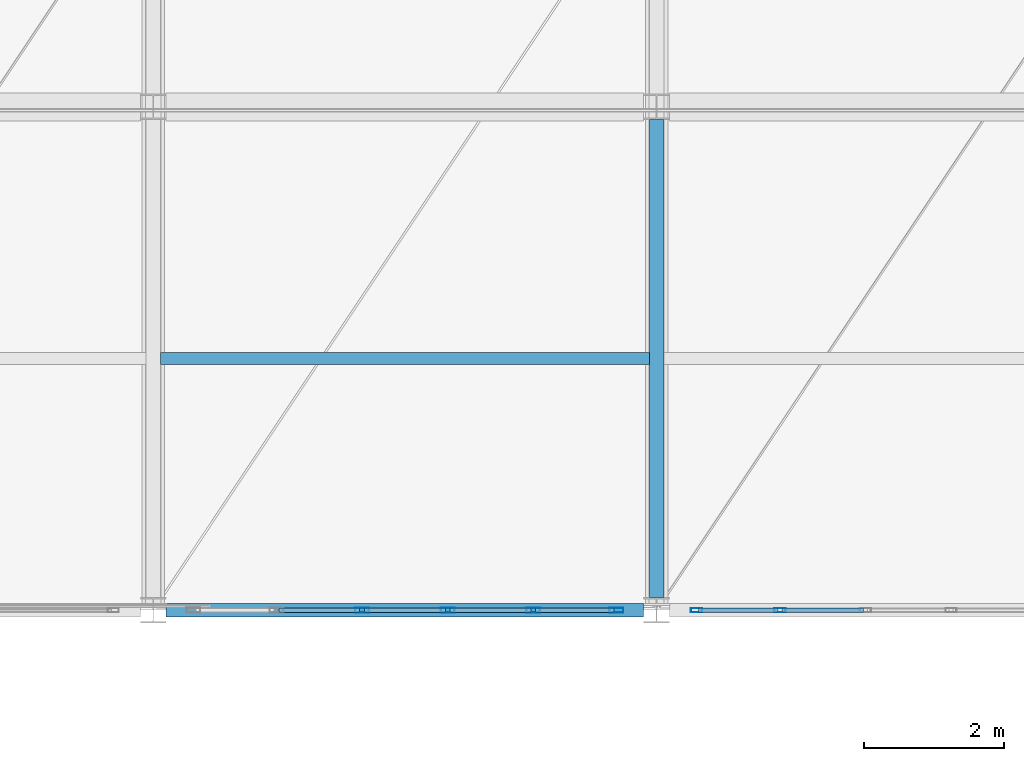
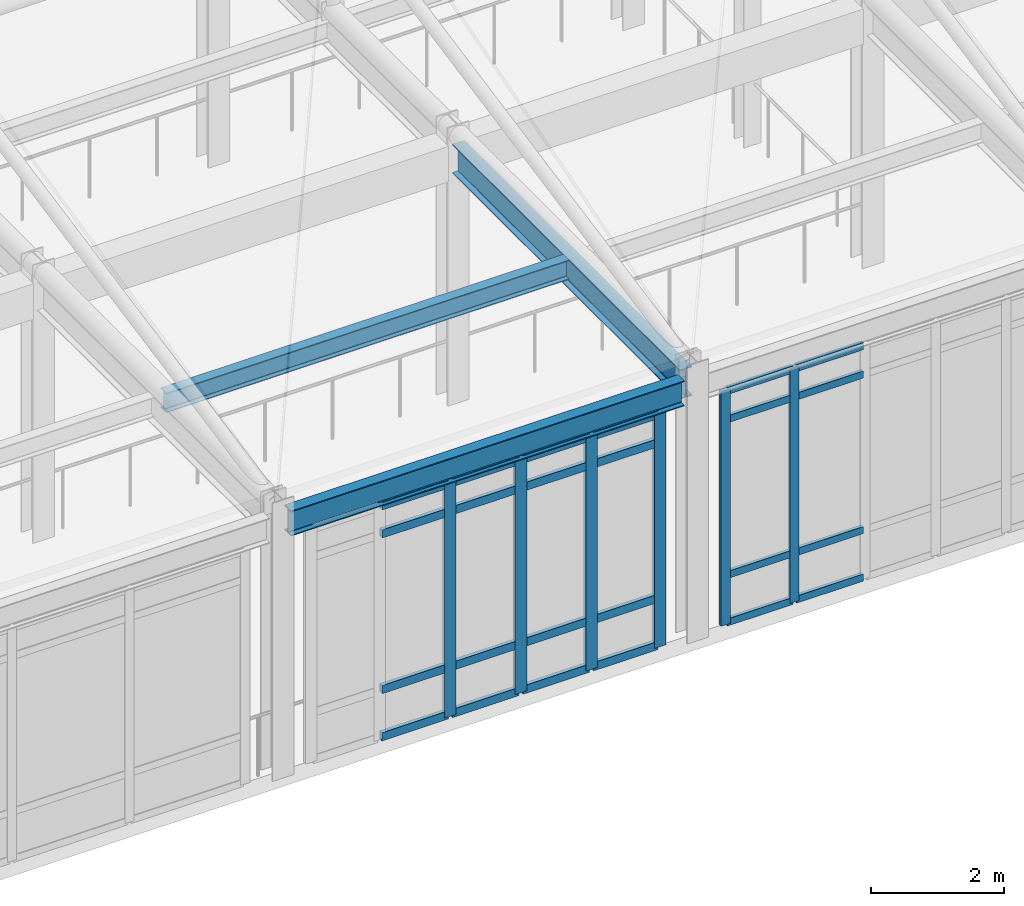
# One storey, part 42 of 117: 30 members, 3 beams, 2 elements without a shape of their own.
"""IFC4 building model written with IfcOpenShell, lengths in metres."""

import ifcopenshell
import ifcopenshell.guid

model = None  # the IFC model being written
_history = None  # IfcOwnerHistory: only IFC2X3 demands one
_inside = {}  # id of a spatial element -> (the spatial element, [elements in it])
_under = {}  # id of a project, library or spatial element -> (it, [spatial elements below it])
_declared = {}  # id of a project -> (the project, [libraries it declares])
_typed = {}  # id of a type object -> (the type object, [elements of that type])
_made_of = {}  # id of a material, layer set ... -> (it, [elements and type objects made of it])


def new_model(schema):
    """Start an empty IFC model of exactly this schema.

    Asked for "IFC4X3", IfcOpenShell would pick the latest addendum, in which some entities
    have other attributes; the version numbers below select the first issue.
    IFC2X3 requires an IfcOwnerHistory on every rooted entity: one is made here for all.
    """
    global model, _history
    if schema == "IFC4X3":
        model = ifcopenshell.file(schema_version=(4, 3, 0, 0))
    else:
        model = ifcopenshell.file(schema=schema)
    _inside.clear()
    _under.clear()
    _declared.clear()
    _typed.clear()
    _made_of.clear()
    _history = None
    if model.schema == "IFC2X3":
        org = make("IfcOrganization", Name="unknown")
        user = make(
            "IfcPersonAndOrganization",
            ThePerson=make("IfcPerson", FamilyName="unknown"),
            TheOrganization=org,
        )
        app = make(
            "IfcApplication",
            ApplicationDeveloper=org,
            Version="unknown",
            ApplicationFullName="unknown",
            ApplicationIdentifier="unknown",
        )
        _history = make(
            "IfcOwnerHistory",
            OwningUser=user,
            OwningApplication=app,
            ChangeAction="ADDED",
            CreationDate=0,
        )
    return model


def make(cls, **values):
    """One entity of the class cls with the attributes given. An attribute that is None is left unset."""
    return model.create_entity(
        cls, **{name: value for name, value in values.items() if value is not None}
    )


def rooted(cls, **values):
    """An entity with a GlobalId (a new one), such as an element, a storey or a relation."""
    return make(cls, GlobalId=ifcopenshell.guid.new(), OwnerHistory=_history, **values)


def si_unit(unit_type, name, prefix=None):
    """IfcSIUnit, for example si_unit("LENGTHUNIT", "METRE", prefix="MILLI")."""
    return make("IfcSIUnit", UnitType=unit_type, Prefix=prefix, Name=name)


def assignment(units):
    """IfcUnitAssignment: the units of a project."""
    return None if units is None else make("IfcUnitAssignment", Units=units)


def point(xyz):
    """IfcCartesianPoint."""
    return None if xyz is None else make("IfcCartesianPoint", Coordinates=xyz)


def direction(xyz):
    """IfcDirection."""
    return None if xyz is None else make("IfcDirection", DirectionRatios=xyz)


def frame(location, z_axis=None, x_axis=None):
    """IfcAxis2Placement3D, a coordinate frame: its origin and axes. An axis left out is left unset."""
    return make(
        "IfcAxis2Placement3D",
        Location=point(location),
        Axis=direction(z_axis),
        RefDirection=direction(x_axis),
    )


def frame_2d(location, x_axis=None):
    """IfcAxis2Placement2D, a coordinate frame in the plane: its origin and x axis."""
    return make(
        "IfcAxis2Placement2D", Location=point(location), RefDirection=direction(x_axis)
    )


def origin():
    """The frame at (0, 0, 0) with its axes left unset."""
    return frame((0.0, 0.0, 0.0))


def origin_2d():
    """The frame at (0, 0) in the plane with its x axis left unset."""
    return frame_2d((0.0, 0.0))


def place(relative_to, where):
    """IfcLocalPlacement: puts the frame where relative to a parent placement (None: the world)."""
    return make(
        "IfcLocalPlacement", PlacementRelTo=relative_to, RelativePlacement=where
    )


def context(
    kind, dimensions, precision=None, world=None, true_north=None, identifier=None
):
    """IfcGeometricRepresentationContext, for example the 3D "Model" context."""
    return make(
        "IfcGeometricRepresentationContext",
        ContextIdentifier=identifier,
        ContextType=kind,
        CoordinateSpaceDimension=dimensions,
        Precision=precision,
        WorldCoordinateSystem=world,
        TrueNorth=true_north,
    )


def subcontext(parent, identifier, kind, view, scale=None):
    """IfcGeometricRepresentationSubContext, for example "Body" below "Model"."""
    return make(
        "IfcGeometricRepresentationSubContext",
        ContextIdentifier=identifier,
        ContextType=kind,
        ParentContext=parent,
        TargetScale=scale,
        TargetView=view,
    )


def project(units=None, contexts=None):
    """IfcProject with its units and contexts."""
    return rooted(
        "IfcProject",
        Name="project",
        RepresentationContexts=contexts,
        UnitsInContext=assignment(units),
    )


def spatial(cls, under=None, at=None, **own):
    """A site, building, storey or space (cls), placed at a placement, below another one or the project."""
    s = rooted(cls, ObjectPlacement=at, **own)
    if under is not None:
        _under.setdefault(under.id(), (under, []))[1].append(s)
    return s


def profile(cls, at=None, kind="AREA", **sizes):
    """A parametric profile (cls). Its sizes go by their IFC names, for example OverallWidth=200.0."""
    return make(cls, ProfileType=kind, Position=at, **sizes)


def hollow_rectangle(**sizes):
    """IfcRectangleHollowProfileDef."""
    return profile("IfcRectangleHollowProfileDef", **sizes)


def i_section(**sizes):
    """IfcIShapeProfileDef."""
    return profile("IfcIShapeProfileDef", **sizes)


def extrude(swept, where, along, depth):
    """IfcExtrudedAreaSolid: the profile swept, set in the frame where, extruded along a direction by depth."""
    return make(
        "IfcExtrudedAreaSolid",
        SweptArea=swept,
        Position=where,
        ExtrudedDirection=direction(along),
        Depth=depth,
    )


def shape(context_of_items, identifier, shape_type, items):
    """IfcShapeRepresentation: the items that make up one representation, for example the "Body"."""
    return make(
        "IfcShapeRepresentation",
        ContextOfItems=context_of_items,
        RepresentationIdentifier=identifier,
        RepresentationType=shape_type,
        Items=items,
    )


def material(Name=None, Category=None):
    """IfcMaterial."""
    return make("IfcMaterial", Name=Name, Category=Category)


def layer(
    of_material, thickness, ventilated=None, Name=None, Category=None, Priority=None
):
    """IfcMaterialLayer: one layer of a wall or slab, of a material (None: an air gap)."""
    return make(
        "IfcMaterialLayer",
        Material=of_material,
        LayerThickness=thickness,
        IsVentilated=ventilated,
        Name=Name,
        Category=Category,
        Priority=Priority,
    )


def layer_set(layers, Name=None):
    """IfcMaterialLayerSet."""
    return make("IfcMaterialLayerSet", MaterialLayers=layers, LayerSetName=Name)


def material_profile(
    of_material, cross_section, Name=None, Category=None, Priority=None
):
    """IfcMaterialProfile: a cross section and its material."""
    return make(
        "IfcMaterialProfile",
        Name=Name,
        Material=of_material,
        Profile=cross_section,
        Priority=Priority,
        Category=Category,
    )


def profile_set(profiles, Name=None, composite=None):
    """IfcMaterialProfileSet."""
    return make(
        "IfcMaterialProfileSet",
        Name=Name,
        MaterialProfiles=profiles,
        CompositeProfile=composite,
    )


def made_of(thing, what):
    """Note that an element or type object is made of a material, layer set ...; save() writes the relation."""
    if what is not None:
        _made_of.setdefault(what.id(), (what, []))[1].append(thing)
    return thing


def type_object(cls, material=None, **own):
    """A type object (cls), such as IfcWallType, which elements share."""
    return made_of(rooted(cls, **own), material)


def element(
    cls,
    number,
    at=None,
    inside=None,
    cuts=None,
    type_object=None,
    material=None,
    context=None,
    identifier="Body",
    shape_type=None,
    held_by="IfcProductDefinitionShape",
    body=None,
    shapes=None,
    **own,
):
    """One element of the class cls, such as IfcWall. Its Tag is "e" and its number.

    at: its placement. inside: the storey or other place that contains it. cuts: it is an
    opening in that element (IfcRelVoidsElement). A single representation is given by context,
    identifier, shape_type and body (its items); several are given by shapes. held_by: the class
    of the entity that holds the representations. save() writes the other relations.
    """
    e = rooted(cls, Tag="e%d" % number, ObjectPlacement=at, **own)
    if body is not None:
        shapes = [shape(context, identifier, shape_type, body)]
    if shapes is not None:
        e.Representation = make(held_by, Representations=shapes)
    if inside is not None:
        _inside.setdefault(inside.id(), (inside, []))[1].append(e)
    if cuts is not None:
        rooted(
            "IfcRelVoidsElement", RelatingBuildingElement=cuts, RelatedOpeningElement=e
        )
    if type_object is not None:
        _typed.setdefault(type_object.id(), (type_object, []))[1].append(e)
    return made_of(e, material)


def aggregate(whole, parts):
    """IfcRelAggregates: a whole, such as a stair, and the parts it consists of."""
    return rooted("IfcRelAggregates", RelatingObject=whole, RelatedObjects=parts)


def save(model, path):
    """Write the relations noted so far, then the file.

    IfcRelAggregates (storeys below a building ...), IfcRelContainedInSpatialStructure (elements
    in a storey), IfcRelDefinesByType, IfcRelAssociatesMaterial and IfcRelDeclares: one each for
    every whole, place, type object, material and project.
    """
    for whole, parts in _under.values():
        aggregate(whole, parts)
    for where, things in _inside.values():
        rooted(
            "IfcRelContainedInSpatialStructure",
            RelatedElements=things,
            RelatingStructure=where,
        )
    for kind, things in _typed.values():
        rooted("IfcRelDefinesByType", RelatedObjects=things, RelatingType=kind)
    for what, things in _made_of.values():
        rooted("IfcRelAssociatesMaterial", RelatedObjects=things, RelatingMaterial=what)
    for by, libraries in _declared.values():
        rooted("IfcRelDeclares", RelatingContext=by, RelatedDefinitions=libraries)
    model.write(path)


model = new_model("IFC4")

# Units and contexts
model_context = context("Model", 3, precision=1e-05, world=origin(), true_north=direction((0.0, 1.0)))
body_context = subcontext(model_context, "Body", "Model", "MODEL_VIEW")
ifc_project = project(units=[si_unit("LENGTHUNIT", "METRE"), si_unit("AREAUNIT", "SQUARE_METRE"), si_unit("VOLUMEUNIT", "CUBIC_METRE"), si_unit("PLANEANGLEUNIT", "RADIAN"), si_unit("MASSUNIT", "GRAM", prefix="KILO")], contexts=[model_context])

# Site, building, storey
site_placement = place(None, origin())
site = spatial("IfcSite", under=ifc_project, at=site_placement, CompositionType="ELEMENT")
building_placement = place(site_placement, origin())
building = spatial("IfcBuilding", under=site, at=building_placement, Name="Carrowvane Square Congress Hotel", CompositionType="ELEMENT")
storey_placement = place(building_placement, frame((0.0, 0.0, 5.39990234375)))
storey = spatial("IfcBuildingStorey", under=building, at=storey_placement, Name="L01", CompositionType="ELEMENT", Elevation=5.39990234375)

# Beams
ifc_material_1 = material(Name="Steel S355", Category="steel")
ifc_material_profile_1 = material_profile(ifc_material_1, i_section(OverallWidth=0.172119140625, OverallDepth=0.35791015625, WebThickness=0.008056640625, FlangeThickness=0.012939453125, FilletRadius=0.01025390625, at=origin_2d()), Name="UKB 356x171x57")
ifc_profile_set_1 = profile_set([ifc_material_profile_1], Name="Steel S355")
beam_type_1 = type_object("IfcBeamType", Name="BM-ST-UKB356", PredefinedType="JOIST", material=ifc_profile_set_1)
beam_1_placement = place(storey_placement, frame((105.304931640625, 73.800048828125, 4.60107421875), z_axis=(1.0, 0.0, 0.0), x_axis=(0.0, 1.0, 0.0)))
element("IfcBeam", 1, at=beam_1_placement, inside=storey, type_object=beam_type_1, Name="L02 secondary joist 14-15", PredefinedType="JOIST", context=body_context, shape_type="SweptSolid", body=[
    extrude(i_section(OverallWidth=0.172119140625, OverallDepth=0.35791015625, WebThickness=0.008056640625, FlangeThickness=0.012939453125, FilletRadius=0.01025390625, at=origin_2d()), origin(), (0.0, 0.0, 1.0), 6.989990234375),
])
ifc_material_2 = material(Name="Steel S355", Category="steel")
ifc_material_profile_2 = material_profile(ifc_material_2, i_section(OverallWidth=0.19140625, OverallDepth=0.4599609375, WebThickness=0.010009765625, FlangeThickness=0.01611328125, FilletRadius=0.01025390625, at=origin_2d()), Name="UKB 457x191x82")
ifc_profile_set_2 = profile_set([ifc_material_profile_2], Name="Steel S355")
beam_type_2 = type_object("IfcBeamType", Name="BM-ST-UKB457", PredefinedType="SPANDREL", material=ifc_profile_set_2)
beam_2_placement = place(storey_placement, frame((105.38525390625, 70.199951171875, 4.550048828125), z_axis=(1.0, 0.0, 0.0), x_axis=(0.0, 1.0, 0.0)))
element("IfcBeam", 2, at=beam_2_placement, inside=storey, type_object=beam_type_2, Name="L02 girder K/14-15", PredefinedType="SPANDREL", context=body_context, shape_type="SweptSolid", body=[
    extrude(i_section(OverallWidth=0.19140625, OverallDepth=0.4599609375, WebThickness=0.010009765625, FlangeThickness=0.01611328125, FilletRadius=0.01025390625, at=origin_2d()), origin(), (0.0, 0.0, 1.0), 6.82958984375),
])
ifc_material_3 = material(Name="Steel S355", Category="steel")
ifc_material_profile_3 = material_profile(ifc_material_3, i_section(OverallWidth=0.2099609375, OverallDepth=0.53662109375, WebThickness=0.0107421875, FlangeThickness=0.017333984375, FilletRadius=0.0126953125, at=origin_2d()), Name="UKB 533x210x101")
ifc_profile_set_3 = profile_set([ifc_material_profile_3], Name="Steel S355")
beam_type_3 = type_object("IfcBeamType", Name="BM-ST-UKB533", PredefinedType="USERDEFINED", material=ifc_profile_set_3)
beam_3_placement = place(storey_placement, frame((112.39990234375, 70.381103515625, 4.51171875), z_axis=(0.0, 1.0, 0.0), x_axis=(-1.0, 0.0, 0.0)))
element("IfcBeam", 3, at=beam_3_placement, inside=storey, type_object=beam_type_3, Name="L02 girder 15/K-L", ObjectType="GIRDER", PredefinedType="USERDEFINED", context=body_context, shape_type="SweptSolid", body=[
    extrude(i_section(OverallWidth=0.2099609375, OverallDepth=0.53662109375, WebThickness=0.0107421875, FlangeThickness=0.017333984375, FilletRadius=0.0126953125, at=origin_2d()), origin(), (0.0, 0.0, 1.0), 6.837890625),
])

# Curtain wall, members
ifc_material_4 = material(Name="Anodised aluminium", Category="aluminium")
ifc_layer_1 = layer(ifc_material_4, 0.23388671875)
ifc_layer_set_1 = layer_set([ifc_layer_1], Name="Anodised aluminium")
curtain_wall_type_1 = type_object("IfcCurtainWallType", Name="CW-SYS-7", PredefinedType="NOTDEFINED", material=ifc_layer_set_1)
curtain_wall_1_placement = place(storey_placement, origin())
curtain_wall_1 = element("IfcCurtainWall", 4, at=curtain_wall_1_placement, inside=storey, type_object=curtain_wall_type_1, Name="L01 unitised curtain wall 118", PredefinedType="NOTDEFINED")
ifc_material_5 = material(Name="Anodised aluminium", Category="aluminium")
ifc_material_profile_4 = material_profile(ifc_material_5, hollow_rectangle(XDim=0.06005859375, YDim=0.159912109375, WallThickness=0.00390625, at=origin_2d()), Name="CW-ML 60x160x4")
ifc_profile_set_4 = profile_set([ifc_material_profile_4], Name="Anodised aluminium")
member_type_1 = type_object("IfcMemberType", Name="CW-MUL-1", PredefinedType="MULLION", material=ifc_profile_set_4)
member_1_placement = place(storey_placement, frame((114.1640625, 70.199951171875, 0.0), z_axis=(0.0, 0.0, 1.0), x_axis=(0.0, -1.0, 0.0)))
member_1 = element("IfcMember", 5, at=member_1_placement, type_object=member_type_1, Name="CW-7 mullion 5", PredefinedType="MULLION", context=body_context, shape_type="SweptSolid", body=[
    extrude(hollow_rectangle(XDim=0.06005859375, YDim=0.159912109375, WallThickness=0.00390625, at=origin_2d()), origin(), (0.0, 0.0, 1.0), 4.30517578125),
])
member_2_placement = place(storey_placement, frame((112.969970703125, 70.199951171875, 0.0), z_axis=(0.0, 0.0, 1.0), x_axis=(0.0, -1.0, 0.0)))
member_2 = element("IfcMember", 6, at=member_2_placement, type_object=member_type_1, Name="CW-7 mullion 6", PredefinedType="MULLION", context=body_context, shape_type="SweptSolid", body=[
    extrude(hollow_rectangle(XDim=0.06005859375, YDim=0.159912109375, WallThickness=0.00390625, at=origin_2d()), origin(), (0.0, 0.0, 1.0), 4.30517578125),
])

ifc_material_6 = material(Name="Anodised aluminium", Category="aluminium")
ifc_layer_2 = layer(ifc_material_6, 0.24609375)
ifc_layer_set_2 = layer_set([ifc_layer_2], Name="Anodised aluminium")
curtain_wall_type_2 = type_object("IfcCurtainWallType", Name="CW-SYS-8", PredefinedType="NOTDEFINED", material=ifc_layer_set_2)
curtain_wall_2_placement = place(storey_placement, origin())
curtain_wall_2 = element("IfcCurtainWall", 7, at=curtain_wall_2_placement, inside=storey, type_object=curtain_wall_type_2, Name="L01 unitised curtain wall 119", PredefinedType="NOTDEFINED")
ifc_material_7 = material(Name="Anodised aluminium", Category="aluminium")
ifc_material_profile_5 = material_profile(ifc_material_7, hollow_rectangle(XDim=0.070068359375, YDim=0.199951171875, WallThickness=0.0048828125, at=origin_2d()), Name="CW-ML 70x200x5")
ifc_profile_set_5 = profile_set([ifc_material_profile_5], Name="Anodised aluminium")
member_type_2 = type_object("IfcMemberType", Name="CW-MUL-2", PredefinedType="MULLION", material=ifc_profile_set_5)
member_3_placement = place(storey_placement, frame((111.824951171875, 70.199951171875, 0.0), z_axis=(0.0, 0.0, 1.0), x_axis=(0.0, -1.0, 0.0)))
member_3 = element("IfcMember", 8, at=member_3_placement, type_object=member_type_2, Name="CW-8 mullion 1", PredefinedType="MULLION", context=body_context, shape_type="SweptSolid", body=[
    extrude(hollow_rectangle(XDim=0.070068359375, YDim=0.199951171875, WallThickness=0.0048828125, at=origin_2d()), origin(), (0.0, 0.0, 1.0), 4.30517578125),
])
member_4_placement = place(storey_placement, frame((110.635986328125, 70.199951171875, 0.0), z_axis=(0.0, 0.0, 1.0), x_axis=(0.0, -1.0, 0.0)))
member_4 = element("IfcMember", 9, at=member_4_placement, type_object=member_type_2, Name="CW-8 mullion 2", PredefinedType="MULLION", context=body_context, shape_type="SweptSolid", body=[
    extrude(hollow_rectangle(XDim=0.070068359375, YDim=0.199951171875, WallThickness=0.0048828125, at=origin_2d()), origin(), (0.0, 0.0, 1.0), 4.30517578125),
])
member_5_placement = place(storey_placement, frame((109.412109375, 70.199951171875, 0.0), z_axis=(0.0, 0.0, 1.0), x_axis=(0.0, -1.0, 0.0)))
member_5 = element("IfcMember", 10, at=member_5_placement, type_object=member_type_2, Name="CW-8 mullion 3", PredefinedType="MULLION", context=body_context, shape_type="SweptSolid", body=[
    extrude(hollow_rectangle(XDim=0.070068359375, YDim=0.199951171875, WallThickness=0.0048828125, at=origin_2d()), origin(), (0.0, 0.0, 1.0), 4.30517578125),
])
member_6_placement = place(storey_placement, frame((108.18798828125, 70.199951171875, 0.0), z_axis=(0.0, 0.0, 1.0), x_axis=(0.0, -1.0, 0.0)))
member_6 = element("IfcMember", 11, at=member_6_placement, type_object=member_type_2, Name="CW-8 mullion 4", PredefinedType="MULLION", context=body_context, shape_type="SweptSolid", body=[
    extrude(hollow_rectangle(XDim=0.070068359375, YDim=0.199951171875, WallThickness=0.0048828125, at=origin_2d()), origin(), (0.0, 0.0, 1.0), 4.30517578125),
])

# Member
ifc_material_8 = material(Name="Anodised aluminium", Category="aluminium")
ifc_material_profile_6 = material_profile(ifc_material_8, hollow_rectangle(XDim=0.06005859375, YDim=0.1298828125, WallThickness=0.00390625, at=origin_2d()), Name="CW-TR 60x130x4")
ifc_profile_set_6 = profile_set([ifc_material_profile_6], Name="Anodised aluminium")
member_type_3 = type_object("IfcMemberType", Name="CW-TRN-1", PredefinedType="USERDEFINED", material=ifc_profile_set_6)
member_7_placement = place(storey_placement, frame((115.35791015625, 70.199951171875, 0.030029296875), z_axis=(-1.0, 0.0, 0.0), x_axis=(0.0, -1.0, 0.0)))
member_7 = element("IfcMember", 12, at=member_7_placement, type_object=member_type_3, Name="CW-7 transom 4.1", ObjectType="TRANSOM", PredefinedType="USERDEFINED", context=body_context, shape_type="SweptSolid", body=[
    extrude(hollow_rectangle(XDim=0.06005859375, YDim=0.1298828125, WallThickness=0.00390625, at=origin_2d()), origin(), (0.0, 0.0, 1.0), 1.163818359375),
])

member_8_placement = place(storey_placement, frame((115.35791015625, 70.199951171875, 0.900146484375), z_axis=(-1.0, 0.0, 0.0), x_axis=(0.0, -1.0, 0.0)))
member_8 = element("IfcMember", 13, at=member_8_placement, type_object=member_type_3, Name="CW-7 transom 4.2", ObjectType="TRANSOM", PredefinedType="USERDEFINED", context=body_context, shape_type="SweptSolid", body=[
    extrude(hollow_rectangle(XDim=0.06005859375, YDim=0.1298828125, WallThickness=0.00390625, at=origin_2d()), origin(), (0.0, 0.0, 1.0), 1.163818359375),
])

member_9_placement = place(storey_placement, frame((115.35791015625, 70.199951171875, 3.755126953125), z_axis=(-1.0, 0.0, 0.0), x_axis=(0.0, -1.0, 0.0)))
member_9 = element("IfcMember", 14, at=member_9_placement, type_object=member_type_3, Name="CW-7 transom 4.3", ObjectType="TRANSOM", PredefinedType="USERDEFINED", context=body_context, shape_type="SweptSolid", body=[
    extrude(hollow_rectangle(XDim=0.06005859375, YDim=0.1298828125, WallThickness=0.00390625, at=origin_2d()), origin(), (0.0, 0.0, 1.0), 1.163818359375),
])

member_10_placement = place(storey_placement, frame((115.35791015625, 70.199951171875, 4.275146484375), z_axis=(-1.0, 0.0, 0.0), x_axis=(0.0, -1.0, 0.0)))
member_10 = element("IfcMember", 15, at=member_10_placement, type_object=member_type_3, Name="CW-7 transom 4.4", ObjectType="TRANSOM", PredefinedType="USERDEFINED", context=body_context, shape_type="SweptSolid", body=[
    extrude(hollow_rectangle(XDim=0.06005859375, YDim=0.1298828125, WallThickness=0.00390625, at=origin_2d()), origin(), (0.0, 0.0, 1.0), 1.163818359375),
])

member_11_placement = place(storey_placement, frame((114.134033203125, 70.199951171875, 0.030029296875), z_axis=(-1.0, 0.0, 0.0), x_axis=(0.0, -1.0, 0.0)))
member_11 = element("IfcMember", 16, at=member_11_placement, type_object=member_type_3, Name="CW-7 transom 5.1", ObjectType="TRANSOM", PredefinedType="USERDEFINED", context=body_context, shape_type="SweptSolid", body=[
    extrude(hollow_rectangle(XDim=0.06005859375, YDim=0.1298828125, WallThickness=0.00390625, at=origin_2d()), origin(), (0.0, 0.0, 1.0), 1.134033203125),
])

member_12_placement = place(storey_placement, frame((114.134033203125, 70.199951171875, 0.900146484375), z_axis=(-1.0, 0.0, 0.0), x_axis=(0.0, -1.0, 0.0)))
member_12 = element("IfcMember", 17, at=member_12_placement, type_object=member_type_3, Name="CW-7 transom 5.2", ObjectType="TRANSOM", PredefinedType="USERDEFINED", context=body_context, shape_type="SweptSolid", body=[
    extrude(hollow_rectangle(XDim=0.06005859375, YDim=0.1298828125, WallThickness=0.00390625, at=origin_2d()), origin(), (0.0, 0.0, 1.0), 1.134033203125),
])

member_13_placement = place(storey_placement, frame((114.134033203125, 70.199951171875, 3.755126953125), z_axis=(-1.0, 0.0, 0.0), x_axis=(0.0, -1.0, 0.0)))
member_13 = element("IfcMember", 18, at=member_13_placement, type_object=member_type_3, Name="CW-7 transom 5.3", ObjectType="TRANSOM", PredefinedType="USERDEFINED", context=body_context, shape_type="SweptSolid", body=[
    extrude(hollow_rectangle(XDim=0.06005859375, YDim=0.1298828125, WallThickness=0.00390625, at=origin_2d()), origin(), (0.0, 0.0, 1.0), 1.134033203125),
])

member_14_placement = place(storey_placement, frame((114.134033203125, 70.199951171875, 4.275146484375), z_axis=(-1.0, 0.0, 0.0), x_axis=(0.0, -1.0, 0.0)))
member_14 = element("IfcMember", 19, at=member_14_placement, type_object=member_type_3, Name="CW-7 transom 5.4", ObjectType="TRANSOM", PredefinedType="USERDEFINED", context=body_context, shape_type="SweptSolid", body=[
    extrude(hollow_rectangle(XDim=0.06005859375, YDim=0.1298828125, WallThickness=0.00390625, at=origin_2d()), origin(), (0.0, 0.0, 1.0), 1.134033203125),
])

aggregate(curtain_wall_1, [member_1, member_2, member_7, member_8, member_9, member_10, member_11, member_12, member_13, member_14])

ifc_material_9 = material(Name="Anodised aluminium", Category="aluminium")
ifc_material_profile_7 = material_profile(ifc_material_9, hollow_rectangle(XDim=0.070068359375, YDim=0.14990234375, WallThickness=0.0048828125, at=origin_2d()), Name="CW-TR 70x150x5")
ifc_profile_set_7 = profile_set([ifc_material_profile_7], Name="Anodised aluminium")
member_type_4 = type_object("IfcMemberType", Name="CW-TRN-2", PredefinedType="USERDEFINED", material=ifc_profile_set_7)
member_15_placement = place(storey_placement, frame((111.7900390625, 70.199951171875, 0.03515625), z_axis=(-1.0, 0.0, 0.0), x_axis=(0.0, -1.0, 0.0)))
member_15 = element("IfcMember", 20, at=member_15_placement, type_object=member_type_4, Name="CW-8 transom 1.1", ObjectType="TRANSOM", PredefinedType="USERDEFINED", context=body_context, shape_type="SweptSolid", body=[
    extrude(hollow_rectangle(XDim=0.070068359375, YDim=0.14990234375, WallThickness=0.0048828125, at=origin_2d()), origin(), (0.0, 0.0, 1.0), 1.119140625),
])

member_16_placement = place(storey_placement, frame((111.7900390625, 70.199951171875, 0.900146484375), z_axis=(-1.0, 0.0, 0.0), x_axis=(0.0, -1.0, 0.0)))
member_16 = element("IfcMember", 21, at=member_16_placement, type_object=member_type_4, Name="CW-8 transom 1.2", ObjectType="TRANSOM", PredefinedType="USERDEFINED", context=body_context, shape_type="SweptSolid", body=[
    extrude(hollow_rectangle(XDim=0.070068359375, YDim=0.14990234375, WallThickness=0.0048828125, at=origin_2d()), origin(), (0.0, 0.0, 1.0), 1.119140625),
])

member_17_placement = place(storey_placement, frame((111.7900390625, 70.199951171875, 3.755126953125), z_axis=(-1.0, 0.0, 0.0), x_axis=(0.0, -1.0, 0.0)))
member_17 = element("IfcMember", 22, at=member_17_placement, type_object=member_type_4, Name="CW-8 transom 1.3", ObjectType="TRANSOM", PredefinedType="USERDEFINED", context=body_context, shape_type="SweptSolid", body=[
    extrude(hollow_rectangle(XDim=0.070068359375, YDim=0.14990234375, WallThickness=0.0048828125, at=origin_2d()), origin(), (0.0, 0.0, 1.0), 1.119140625),
])

member_18_placement = place(storey_placement, frame((111.7900390625, 70.199951171875, 4.27001953125), z_axis=(-1.0, 0.0, 0.0), x_axis=(0.0, -1.0, 0.0)))
member_18 = element("IfcMember", 23, at=member_18_placement, type_object=member_type_4, Name="CW-8 transom 1.4", ObjectType="TRANSOM", PredefinedType="USERDEFINED", context=body_context, shape_type="SweptSolid", body=[
    extrude(hollow_rectangle(XDim=0.070068359375, YDim=0.14990234375, WallThickness=0.0048828125, at=origin_2d()), origin(), (0.0, 0.0, 1.0), 1.119140625),
])

member_19_placement = place(storey_placement, frame((110.60107421875, 70.199951171875, 0.03515625), z_axis=(-1.0, 0.0, 0.0), x_axis=(0.0, -1.0, 0.0)))
member_19 = element("IfcMember", 24, at=member_19_placement, type_object=member_type_4, Name="CW-8 transom 2.1", ObjectType="TRANSOM", PredefinedType="USERDEFINED", context=body_context, shape_type="SweptSolid", body=[
    extrude(hollow_rectangle(XDim=0.070068359375, YDim=0.14990234375, WallThickness=0.0048828125, at=origin_2d()), origin(), (0.0, 0.0, 1.0), 1.154052734375),
])

member_20_placement = place(storey_placement, frame((110.60107421875, 70.199951171875, 0.900146484375), z_axis=(-1.0, 0.0, 0.0), x_axis=(0.0, -1.0, 0.0)))
member_20 = element("IfcMember", 25, at=member_20_placement, type_object=member_type_4, Name="CW-8 transom 2.2", ObjectType="TRANSOM", PredefinedType="USERDEFINED", context=body_context, shape_type="SweptSolid", body=[
    extrude(hollow_rectangle(XDim=0.070068359375, YDim=0.14990234375, WallThickness=0.0048828125, at=origin_2d()), origin(), (0.0, 0.0, 1.0), 1.154052734375),
])

member_21_placement = place(storey_placement, frame((110.60107421875, 70.199951171875, 3.755126953125), z_axis=(-1.0, 0.0, 0.0), x_axis=(0.0, -1.0, 0.0)))
member_21 = element("IfcMember", 26, at=member_21_placement, type_object=member_type_4, Name="CW-8 transom 2.3", ObjectType="TRANSOM", PredefinedType="USERDEFINED", context=body_context, shape_type="SweptSolid", body=[
    extrude(hollow_rectangle(XDim=0.070068359375, YDim=0.14990234375, WallThickness=0.0048828125, at=origin_2d()), origin(), (0.0, 0.0, 1.0), 1.154052734375),
])

member_22_placement = place(storey_placement, frame((110.60107421875, 70.199951171875, 4.27001953125), z_axis=(-1.0, 0.0, 0.0), x_axis=(0.0, -1.0, 0.0)))
member_22 = element("IfcMember", 27, at=member_22_placement, type_object=member_type_4, Name="CW-8 transom 2.4", ObjectType="TRANSOM", PredefinedType="USERDEFINED", context=body_context, shape_type="SweptSolid", body=[
    extrude(hollow_rectangle(XDim=0.070068359375, YDim=0.14990234375, WallThickness=0.0048828125, at=origin_2d()), origin(), (0.0, 0.0, 1.0), 1.154052734375),
])

member_23_placement = place(storey_placement, frame((109.376953125, 70.199951171875, 0.03515625), z_axis=(-1.0, 0.0, 0.0), x_axis=(0.0, -1.0, 0.0)))
member_23 = element("IfcMember", 28, at=member_23_placement, type_object=member_type_4, Name="CW-8 transom 3.1", ObjectType="TRANSOM", PredefinedType="USERDEFINED", context=body_context, shape_type="SweptSolid", body=[
    extrude(hollow_rectangle(XDim=0.070068359375, YDim=0.14990234375, WallThickness=0.0048828125, at=origin_2d()), origin(), (0.0, 0.0, 1.0), 1.154052734375),
])

member_24_placement = place(storey_placement, frame((109.376953125, 70.199951171875, 0.900146484375), z_axis=(-1.0, 0.0, 0.0), x_axis=(0.0, -1.0, 0.0)))
member_24 = element("IfcMember", 29, at=member_24_placement, type_object=member_type_4, Name="CW-8 transom 3.2", ObjectType="TRANSOM", PredefinedType="USERDEFINED", context=body_context, shape_type="SweptSolid", body=[
    extrude(hollow_rectangle(XDim=0.070068359375, YDim=0.14990234375, WallThickness=0.0048828125, at=origin_2d()), origin(), (0.0, 0.0, 1.0), 1.154052734375),
])

member_25_placement = place(storey_placement, frame((109.376953125, 70.199951171875, 3.755126953125), z_axis=(-1.0, 0.0, 0.0), x_axis=(0.0, -1.0, 0.0)))
member_25 = element("IfcMember", 30, at=member_25_placement, type_object=member_type_4, Name="CW-8 transom 3.3", ObjectType="TRANSOM", PredefinedType="USERDEFINED", context=body_context, shape_type="SweptSolid", body=[
    extrude(hollow_rectangle(XDim=0.070068359375, YDim=0.14990234375, WallThickness=0.0048828125, at=origin_2d()), origin(), (0.0, 0.0, 1.0), 1.154052734375),
])

member_26_placement = place(storey_placement, frame((109.376953125, 70.199951171875, 4.27001953125), z_axis=(-1.0, 0.0, 0.0), x_axis=(0.0, -1.0, 0.0)))
member_26 = element("IfcMember", 31, at=member_26_placement, type_object=member_type_4, Name="CW-8 transom 3.4", ObjectType="TRANSOM", PredefinedType="USERDEFINED", context=body_context, shape_type="SweptSolid", body=[
    extrude(hollow_rectangle(XDim=0.070068359375, YDim=0.14990234375, WallThickness=0.0048828125, at=origin_2d()), origin(), (0.0, 0.0, 1.0), 1.154052734375),
])

member_27_placement = place(storey_placement, frame((108.153076171875, 70.199951171875, 0.03515625), z_axis=(-1.0, 0.0, 0.0), x_axis=(0.0, -1.0, 0.0)))
member_27 = element("IfcMember", 32, at=member_27_placement, type_object=member_type_4, Name="CW-8 transom 4.1", ObjectType="TRANSOM", PredefinedType="USERDEFINED", context=body_context, shape_type="SweptSolid", body=[
    extrude(hollow_rectangle(XDim=0.070068359375, YDim=0.14990234375, WallThickness=0.0048828125, at=origin_2d()), origin(), (0.0, 0.0, 1.0), 1.154052734375),
])

member_28_placement = place(storey_placement, frame((108.153076171875, 70.199951171875, 0.900146484375), z_axis=(-1.0, 0.0, 0.0), x_axis=(0.0, -1.0, 0.0)))
member_28 = element("IfcMember", 33, at=member_28_placement, type_object=member_type_4, Name="CW-8 transom 4.2", ObjectType="TRANSOM", PredefinedType="USERDEFINED", context=body_context, shape_type="SweptSolid", body=[
    extrude(hollow_rectangle(XDim=0.070068359375, YDim=0.14990234375, WallThickness=0.0048828125, at=origin_2d()), origin(), (0.0, 0.0, 1.0), 1.154052734375),
])

member_29_placement = place(storey_placement, frame((108.153076171875, 70.199951171875, 3.755126953125), z_axis=(-1.0, 0.0, 0.0), x_axis=(0.0, -1.0, 0.0)))
member_29 = element("IfcMember", 34, at=member_29_placement, type_object=member_type_4, Name="CW-8 transom 4.3", ObjectType="TRANSOM", PredefinedType="USERDEFINED", context=body_context, shape_type="SweptSolid", body=[
    extrude(hollow_rectangle(XDim=0.070068359375, YDim=0.14990234375, WallThickness=0.0048828125, at=origin_2d()), origin(), (0.0, 0.0, 1.0), 1.154052734375),
])

member_30_placement = place(storey_placement, frame((108.153076171875, 70.199951171875, 4.27001953125), z_axis=(-1.0, 0.0, 0.0), x_axis=(0.0, -1.0, 0.0)))
member_30 = element("IfcMember", 35, at=member_30_placement, type_object=member_type_4, Name="CW-8 transom 4.4", ObjectType="TRANSOM", PredefinedType="USERDEFINED", context=body_context, shape_type="SweptSolid", body=[
    extrude(hollow_rectangle(XDim=0.070068359375, YDim=0.14990234375, WallThickness=0.0048828125, at=origin_2d()), origin(), (0.0, 0.0, 1.0), 1.154052734375),
])

aggregate(curtain_wall_2, [member_3, member_4, member_5, member_6, member_15, member_16, member_17, member_18, member_19, member_20, member_21, member_22, member_23, member_24, member_25, member_26, member_27, member_28, member_29, member_30])

save(model, "model.ifc")
